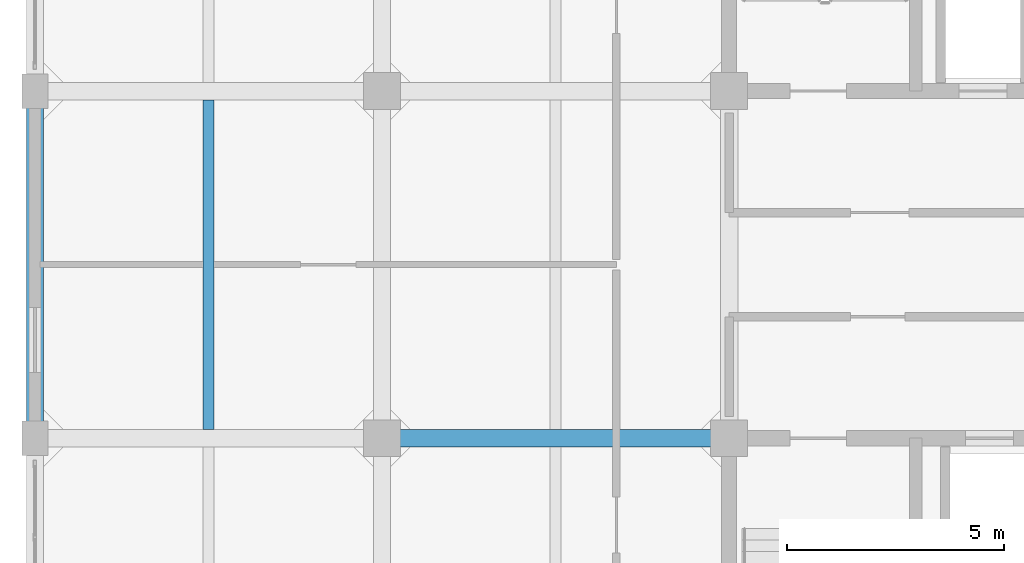
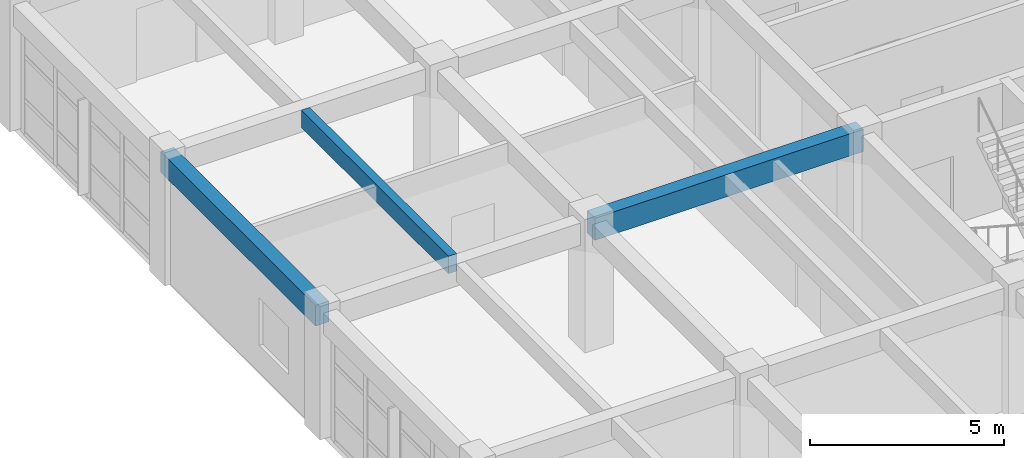
# One storey, part 9 of 30: 3 beams.
"""IFC4 building model written with IfcOpenShell, lengths in metres."""

import ifcopenshell
import ifcopenshell.guid

model = None  # the IFC model being written
_history = None  # IfcOwnerHistory: only IFC2X3 demands one
_inside = {}  # id of a spatial element -> (the spatial element, [elements in it])
_under = {}  # id of a project, library or spatial element -> (it, [spatial elements below it])
_declared = {}  # id of a project -> (the project, [libraries it declares])
_typed = {}  # id of a type object -> (the type object, [elements of that type])
_made_of = {}  # id of a material, layer set ... -> (it, [elements and type objects made of it])


def new_model(schema):
    """Start an empty IFC model of exactly this schema.

    Asked for "IFC4X3", IfcOpenShell would pick the latest addendum, in which some entities
    have other attributes; the version numbers below select the first issue.
    IFC2X3 requires an IfcOwnerHistory on every rooted entity: one is made here for all.
    """
    global model, _history
    if schema == "IFC4X3":
        model = ifcopenshell.file(schema_version=(4, 3, 0, 0))
    else:
        model = ifcopenshell.file(schema=schema)
    _inside.clear()
    _under.clear()
    _declared.clear()
    _typed.clear()
    _made_of.clear()
    _history = None
    if model.schema == "IFC2X3":
        org = make("IfcOrganization", Name="unknown")
        user = make(
            "IfcPersonAndOrganization",
            ThePerson=make("IfcPerson", FamilyName="unknown"),
            TheOrganization=org,
        )
        app = make(
            "IfcApplication",
            ApplicationDeveloper=org,
            Version="unknown",
            ApplicationFullName="unknown",
            ApplicationIdentifier="unknown",
        )
        _history = make(
            "IfcOwnerHistory",
            OwningUser=user,
            OwningApplication=app,
            ChangeAction="ADDED",
            CreationDate=0,
        )
    return model


def make(cls, **values):
    """One entity of the class cls with the attributes given. An attribute that is None is left unset."""
    return model.create_entity(
        cls, **{name: value for name, value in values.items() if value is not None}
    )


def rooted(cls, **values):
    """An entity with a GlobalId (a new one), such as an element, a storey or a relation."""
    return make(cls, GlobalId=ifcopenshell.guid.new(), OwnerHistory=_history, **values)


def si_unit(unit_type, name, prefix=None):
    """IfcSIUnit, for example si_unit("LENGTHUNIT", "METRE", prefix="MILLI")."""
    return make("IfcSIUnit", UnitType=unit_type, Prefix=prefix, Name=name)


def assignment(units):
    """IfcUnitAssignment: the units of a project."""
    return None if units is None else make("IfcUnitAssignment", Units=units)


def point(xyz):
    """IfcCartesianPoint."""
    return None if xyz is None else make("IfcCartesianPoint", Coordinates=xyz)


def direction(xyz):
    """IfcDirection."""
    return None if xyz is None else make("IfcDirection", DirectionRatios=xyz)


def frame(location, z_axis=None, x_axis=None):
    """IfcAxis2Placement3D, a coordinate frame: its origin and axes. An axis left out is left unset."""
    return make(
        "IfcAxis2Placement3D",
        Location=point(location),
        Axis=direction(z_axis),
        RefDirection=direction(x_axis),
    )


def frame_2d(location, x_axis=None):
    """IfcAxis2Placement2D, a coordinate frame in the plane: its origin and x axis."""
    return make(
        "IfcAxis2Placement2D", Location=point(location), RefDirection=direction(x_axis)
    )


def origin():
    """The frame at (0, 0, 0) with its axes left unset."""
    return frame((0.0, 0.0, 0.0))


def origin_2d():
    """The frame at (0, 0) in the plane with its x axis left unset."""
    return frame_2d((0.0, 0.0))


def place(relative_to, where):
    """IfcLocalPlacement: puts the frame where relative to a parent placement (None: the world)."""
    return make(
        "IfcLocalPlacement", PlacementRelTo=relative_to, RelativePlacement=where
    )


def context(
    kind, dimensions, precision=None, world=None, true_north=None, identifier=None
):
    """IfcGeometricRepresentationContext, for example the 3D "Model" context."""
    return make(
        "IfcGeometricRepresentationContext",
        ContextIdentifier=identifier,
        ContextType=kind,
        CoordinateSpaceDimension=dimensions,
        Precision=precision,
        WorldCoordinateSystem=world,
        TrueNorth=true_north,
    )


def subcontext(parent, identifier, kind, view, scale=None):
    """IfcGeometricRepresentationSubContext, for example "Body" below "Model"."""
    return make(
        "IfcGeometricRepresentationSubContext",
        ContextIdentifier=identifier,
        ContextType=kind,
        ParentContext=parent,
        TargetScale=scale,
        TargetView=view,
    )


def project(units=None, contexts=None):
    """IfcProject with its units and contexts."""
    return rooted(
        "IfcProject",
        Name="project",
        RepresentationContexts=contexts,
        UnitsInContext=assignment(units),
    )


def spatial(cls, under=None, at=None, **own):
    """A site, building, storey or space (cls), placed at a placement, below another one or the project."""
    s = rooted(cls, ObjectPlacement=at, **own)
    if under is not None:
        _under.setdefault(under.id(), (under, []))[1].append(s)
    return s


def profile(cls, at=None, kind="AREA", **sizes):
    """A parametric profile (cls). Its sizes go by their IFC names, for example OverallWidth=200.0."""
    return make(cls, ProfileType=kind, Position=at, **sizes)


def rectangle(**sizes):
    """IfcRectangleProfileDef."""
    return profile("IfcRectangleProfileDef", **sizes)


def extrude(swept, where, along, depth):
    """IfcExtrudedAreaSolid: the profile swept, set in the frame where, extruded along a direction by depth."""
    return make(
        "IfcExtrudedAreaSolid",
        SweptArea=swept,
        Position=where,
        ExtrudedDirection=direction(along),
        Depth=depth,
    )


def shape(context_of_items, identifier, shape_type, items):
    """IfcShapeRepresentation: the items that make up one representation, for example the "Body"."""
    return make(
        "IfcShapeRepresentation",
        ContextOfItems=context_of_items,
        RepresentationIdentifier=identifier,
        RepresentationType=shape_type,
        Items=items,
    )


def material(Name=None, Category=None):
    """IfcMaterial."""
    return make("IfcMaterial", Name=Name, Category=Category)


def material_profile(
    of_material, cross_section, Name=None, Category=None, Priority=None
):
    """IfcMaterialProfile: a cross section and its material."""
    return make(
        "IfcMaterialProfile",
        Name=Name,
        Material=of_material,
        Profile=cross_section,
        Priority=Priority,
        Category=Category,
    )


def profile_set(profiles, Name=None, composite=None):
    """IfcMaterialProfileSet."""
    return make(
        "IfcMaterialProfileSet",
        Name=Name,
        MaterialProfiles=profiles,
        CompositeProfile=composite,
    )


def made_of(thing, what):
    """Note that an element or type object is made of a material, layer set ...; save() writes the relation."""
    if what is not None:
        _made_of.setdefault(what.id(), (what, []))[1].append(thing)
    return thing


def type_object(cls, material=None, **own):
    """A type object (cls), such as IfcWallType, which elements share."""
    return made_of(rooted(cls, **own), material)


def element(
    cls,
    number,
    at=None,
    inside=None,
    cuts=None,
    type_object=None,
    material=None,
    context=None,
    identifier="Body",
    shape_type=None,
    held_by="IfcProductDefinitionShape",
    body=None,
    shapes=None,
    **own,
):
    """One element of the class cls, such as IfcWall. Its Tag is "e" and its number.

    at: its placement. inside: the storey or other place that contains it. cuts: it is an
    opening in that element (IfcRelVoidsElement). A single representation is given by context,
    identifier, shape_type and body (its items); several are given by shapes. held_by: the class
    of the entity that holds the representations. save() writes the other relations.
    """
    e = rooted(cls, Tag="e%d" % number, ObjectPlacement=at, **own)
    if body is not None:
        shapes = [shape(context, identifier, shape_type, body)]
    if shapes is not None:
        e.Representation = make(held_by, Representations=shapes)
    if inside is not None:
        _inside.setdefault(inside.id(), (inside, []))[1].append(e)
    if cuts is not None:
        rooted(
            "IfcRelVoidsElement", RelatingBuildingElement=cuts, RelatedOpeningElement=e
        )
    if type_object is not None:
        _typed.setdefault(type_object.id(), (type_object, []))[1].append(e)
    return made_of(e, material)


def aggregate(whole, parts):
    """IfcRelAggregates: a whole, such as a stair, and the parts it consists of."""
    return rooted("IfcRelAggregates", RelatingObject=whole, RelatedObjects=parts)


def save(model, path):
    """Write the relations noted so far, then the file.

    IfcRelAggregates (storeys below a building ...), IfcRelContainedInSpatialStructure (elements
    in a storey), IfcRelDefinesByType, IfcRelAssociatesMaterial and IfcRelDeclares: one each for
    every whole, place, type object, material and project.
    """
    for whole, parts in _under.values():
        aggregate(whole, parts)
    for where, things in _inside.values():
        rooted(
            "IfcRelContainedInSpatialStructure",
            RelatedElements=things,
            RelatingStructure=where,
        )
    for kind, things in _typed.values():
        rooted("IfcRelDefinesByType", RelatedObjects=things, RelatingType=kind)
    for what, things in _made_of.values():
        rooted("IfcRelAssociatesMaterial", RelatedObjects=things, RelatingMaterial=what)
    for by, libraries in _declared.values():
        rooted("IfcRelDeclares", RelatingContext=by, RelatedDefinitions=libraries)
    model.write(path)


model = new_model("IFC4")

# Units and contexts
model_context = context("Model", 3, precision=1e-05, world=origin(), true_north=direction((0.0, 1.0)))
body_context = subcontext(model_context, "Body", "Model", "MODEL_VIEW")
ifc_project = project(units=[si_unit("LENGTHUNIT", "METRE"), si_unit("AREAUNIT", "SQUARE_METRE"), si_unit("VOLUMEUNIT", "CUBIC_METRE"), si_unit("PLANEANGLEUNIT", "RADIAN"), si_unit("MASSUNIT", "GRAM", prefix="KILO")], contexts=[model_context])

# Site, building, storey
site_placement = place(None, origin())
site = spatial("IfcSite", under=ifc_project, at=site_placement, CompositionType="ELEMENT")
building_placement = place(site_placement, origin())
building = spatial("IfcBuilding", under=site, at=building_placement, Name="Canggui Botanical Conservatory", CompositionType="ELEMENT")
storey_placement = place(building_placement, frame((0.0, 0.0, 27.60009765625)))
storey = spatial("IfcBuildingStorey", under=building, at=storey_placement, Name="L07", CompositionType="ELEMENT", Elevation=27.60009765625)

# Beams
ifc_material = material(Name="Concrete C35", Category="concrete")
ifc_material_profile_1 = material_profile(ifc_material, rectangle(XDim=0.25, YDim=0.550048828125, at=origin_2d()), Name="RB 250x550")
ifc_profile_set_1 = profile_set([ifc_material_profile_1], Name="Concrete C35")
beam_type_1 = type_object("IfcBeamType", Name="BM-JST03", PredefinedType="JOIST", material=ifc_profile_set_1)
beam_1_placement = place(storey_placement, frame((142.0, 50.205078125, 3.684814453125), z_axis=(0.0, 1.0, 0.0), x_axis=(-1.0, 0.0, 0.0)))
element("IfcBeam", 1, at=beam_1_placement, inside=storey, type_object=beam_type_1, Name="Secondary Floor Joist L07-1-3", PredefinedType="JOIST", context=body_context, shape_type="SweptSolid", body=[
    extrude(rectangle(XDim=0.25, YDim=0.550048828125, at=origin_2d()), origin(), (0.0, 0.0, 1.0), 7.58984375),
])
ifc_material_profile_2 = material_profile(ifc_material, rectangle(XDim=0.39990234375, YDim=0.699951171875, at=origin_2d()), Name="RB 400x700")
ifc_profile_set_2 = profile_set([ifc_material_profile_2], Name="Concrete C35")
beam_type_2 = type_object("IfcBeamType", Name="BM-KL11", PredefinedType="BEAM", material=ifc_profile_set_2)
beam_2_placement = place(storey_placement, frame((146.0, 50.0, 3.60986328125), z_axis=(1.0, 0.0, 0.0), x_axis=(0.0, 1.0, 0.0)))
element("IfcBeam", 2, at=beam_2_placement, inside=storey, type_object=beam_type_2, Name="Frame Girder L07 Y50-2", PredefinedType="BEAM", context=body_context, shape_type="SweptSolid", body=[
    extrude(rectangle(XDim=0.39990234375, YDim=0.699951171875, at=origin_2d()), origin(), (0.0, 0.0, 1.0), 8.0),
])
ifc_material_profile_3 = material_profile(ifc_material, rectangle(XDim=0.39990234375, YDim=0.64990234375, at=origin_2d()), Name="RB 400x650")
ifc_profile_set_3 = profile_set([ifc_material_profile_3], Name="Concrete C35")
beam_type_3 = type_object("IfcBeamType", Name="BM-KL12", PredefinedType="BEAM", material=ifc_profile_set_3)
beam_3_placement = place(storey_placement, frame((138.0, 50.0, 3.635009765625), z_axis=(0.0, 1.0, 0.0), x_axis=(-1.0, 0.0, 0.0)))
element("IfcBeam", 3, at=beam_3_placement, inside=storey, type_object=beam_type_3, Name="Frame Girder L07 X138-3", PredefinedType="BEAM", context=body_context, shape_type="SweptSolid", body=[
    extrude(rectangle(XDim=0.39990234375, YDim=0.64990234375, at=origin_2d()), origin(), (0.0, 0.0, 1.0), 8.0),
])

save(model, "model.ifc")
